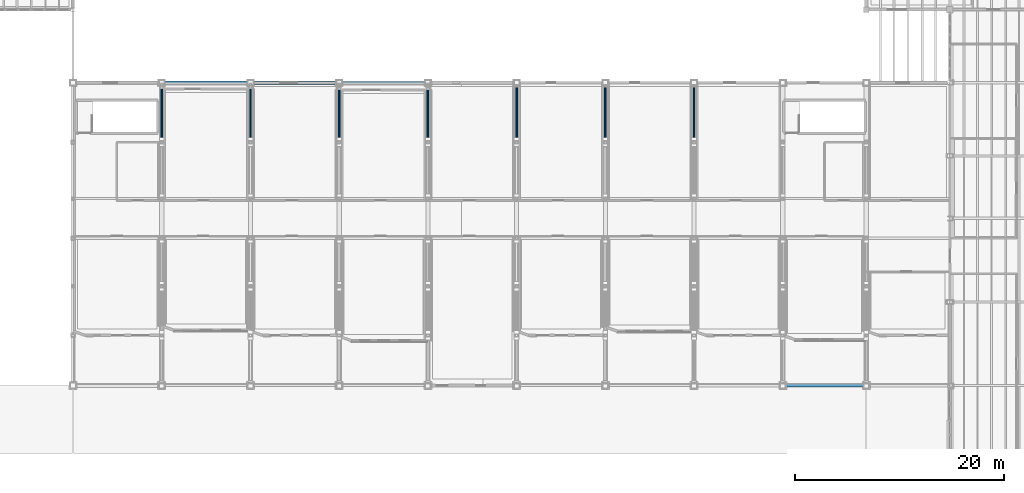
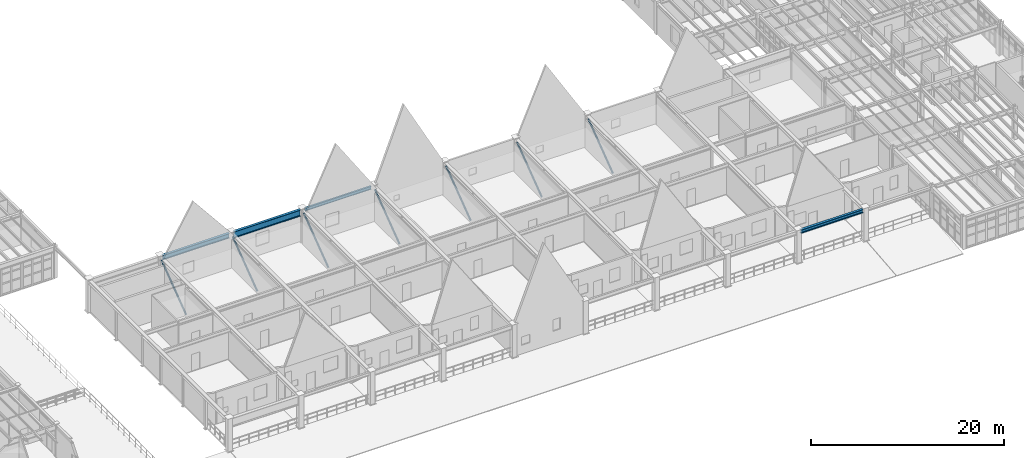
# One storey, part 32 of 78: 7 members, 4 beams.
"""IFC4 building model written with IfcOpenShell, lengths in metres."""

import ifcopenshell
import ifcopenshell.guid

model = None  # the IFC model being written
_history = None  # IfcOwnerHistory: only IFC2X3 demands one
_inside = {}  # id of a spatial element -> (the spatial element, [elements in it])
_under = {}  # id of a project, library or spatial element -> (it, [spatial elements below it])
_declared = {}  # id of a project -> (the project, [libraries it declares])
_typed = {}  # id of a type object -> (the type object, [elements of that type])
_made_of = {}  # id of a material, layer set ... -> (it, [elements and type objects made of it])


def new_model(schema):
    """Start an empty IFC model of exactly this schema.

    Asked for "IFC4X3", IfcOpenShell would pick the latest addendum, in which some entities
    have other attributes; the version numbers below select the first issue.
    IFC2X3 requires an IfcOwnerHistory on every rooted entity: one is made here for all.
    """
    global model, _history
    if schema == "IFC4X3":
        model = ifcopenshell.file(schema_version=(4, 3, 0, 0))
    else:
        model = ifcopenshell.file(schema=schema)
    _inside.clear()
    _under.clear()
    _declared.clear()
    _typed.clear()
    _made_of.clear()
    _history = None
    if model.schema == "IFC2X3":
        org = make("IfcOrganization", Name="unknown")
        user = make(
            "IfcPersonAndOrganization",
            ThePerson=make("IfcPerson", FamilyName="unknown"),
            TheOrganization=org,
        )
        app = make(
            "IfcApplication",
            ApplicationDeveloper=org,
            Version="unknown",
            ApplicationFullName="unknown",
            ApplicationIdentifier="unknown",
        )
        _history = make(
            "IfcOwnerHistory",
            OwningUser=user,
            OwningApplication=app,
            ChangeAction="ADDED",
            CreationDate=0,
        )
    return model


def make(cls, **values):
    """One entity of the class cls with the attributes given. An attribute that is None is left unset."""
    return model.create_entity(
        cls, **{name: value for name, value in values.items() if value is not None}
    )


def rooted(cls, **values):
    """An entity with a GlobalId (a new one), such as an element, a storey or a relation."""
    return make(cls, GlobalId=ifcopenshell.guid.new(), OwnerHistory=_history, **values)


def si_unit(unit_type, name, prefix=None):
    """IfcSIUnit, for example si_unit("LENGTHUNIT", "METRE", prefix="MILLI")."""
    return make("IfcSIUnit", UnitType=unit_type, Prefix=prefix, Name=name)


def assignment(units):
    """IfcUnitAssignment: the units of a project."""
    return None if units is None else make("IfcUnitAssignment", Units=units)


def point(xyz):
    """IfcCartesianPoint."""
    return None if xyz is None else make("IfcCartesianPoint", Coordinates=xyz)


def direction(xyz):
    """IfcDirection."""
    return None if xyz is None else make("IfcDirection", DirectionRatios=xyz)


def frame(location, z_axis=None, x_axis=None):
    """IfcAxis2Placement3D, a coordinate frame: its origin and axes. An axis left out is left unset."""
    return make(
        "IfcAxis2Placement3D",
        Location=point(location),
        Axis=direction(z_axis),
        RefDirection=direction(x_axis),
    )


def frame_2d(location, x_axis=None):
    """IfcAxis2Placement2D, a coordinate frame in the plane: its origin and x axis."""
    return make(
        "IfcAxis2Placement2D", Location=point(location), RefDirection=direction(x_axis)
    )


def origin():
    """The frame at (0, 0, 0) with its axes left unset."""
    return frame((0.0, 0.0, 0.0))


def origin_2d():
    """The frame at (0, 0) in the plane with its x axis left unset."""
    return frame_2d((0.0, 0.0))


def place(relative_to, where):
    """IfcLocalPlacement: puts the frame where relative to a parent placement (None: the world)."""
    return make(
        "IfcLocalPlacement", PlacementRelTo=relative_to, RelativePlacement=where
    )


def context(
    kind, dimensions, precision=None, world=None, true_north=None, identifier=None
):
    """IfcGeometricRepresentationContext, for example the 3D "Model" context."""
    return make(
        "IfcGeometricRepresentationContext",
        ContextIdentifier=identifier,
        ContextType=kind,
        CoordinateSpaceDimension=dimensions,
        Precision=precision,
        WorldCoordinateSystem=world,
        TrueNorth=true_north,
    )


def subcontext(parent, identifier, kind, view, scale=None):
    """IfcGeometricRepresentationSubContext, for example "Body" below "Model"."""
    return make(
        "IfcGeometricRepresentationSubContext",
        ContextIdentifier=identifier,
        ContextType=kind,
        ParentContext=parent,
        TargetScale=scale,
        TargetView=view,
    )


def project(units=None, contexts=None):
    """IfcProject with its units and contexts."""
    return rooted(
        "IfcProject",
        Name="project",
        RepresentationContexts=contexts,
        UnitsInContext=assignment(units),
    )


def spatial(cls, under=None, at=None, **own):
    """A site, building, storey or space (cls), placed at a placement, below another one or the project."""
    s = rooted(cls, ObjectPlacement=at, **own)
    if under is not None:
        _under.setdefault(under.id(), (under, []))[1].append(s)
    return s


def profile(cls, at=None, kind="AREA", **sizes):
    """A parametric profile (cls). Its sizes go by their IFC names, for example OverallWidth=200.0."""
    return make(cls, ProfileType=kind, Position=at, **sizes)


def hollow_circle(**sizes):
    """IfcCircleHollowProfileDef."""
    return profile("IfcCircleHollowProfileDef", **sizes)


def i_section(**sizes):
    """IfcIShapeProfileDef."""
    return profile("IfcIShapeProfileDef", **sizes)


def extrude(swept, where, along, depth):
    """IfcExtrudedAreaSolid: the profile swept, set in the frame where, extruded along a direction by depth."""
    return make(
        "IfcExtrudedAreaSolid",
        SweptArea=swept,
        Position=where,
        ExtrudedDirection=direction(along),
        Depth=depth,
    )


def shape(context_of_items, identifier, shape_type, items):
    """IfcShapeRepresentation: the items that make up one representation, for example the "Body"."""
    return make(
        "IfcShapeRepresentation",
        ContextOfItems=context_of_items,
        RepresentationIdentifier=identifier,
        RepresentationType=shape_type,
        Items=items,
    )


def material(Name=None, Category=None):
    """IfcMaterial."""
    return make("IfcMaterial", Name=Name, Category=Category)


def material_profile(
    of_material, cross_section, Name=None, Category=None, Priority=None
):
    """IfcMaterialProfile: a cross section and its material."""
    return make(
        "IfcMaterialProfile",
        Name=Name,
        Material=of_material,
        Profile=cross_section,
        Priority=Priority,
        Category=Category,
    )


def profile_set(profiles, Name=None, composite=None):
    """IfcMaterialProfileSet."""
    return make(
        "IfcMaterialProfileSet",
        Name=Name,
        MaterialProfiles=profiles,
        CompositeProfile=composite,
    )


def made_of(thing, what):
    """Note that an element or type object is made of a material, layer set ...; save() writes the relation."""
    if what is not None:
        _made_of.setdefault(what.id(), (what, []))[1].append(thing)
    return thing


def type_object(cls, material=None, **own):
    """A type object (cls), such as IfcWallType, which elements share."""
    return made_of(rooted(cls, **own), material)


def element(
    cls,
    number,
    at=None,
    inside=None,
    cuts=None,
    type_object=None,
    material=None,
    context=None,
    identifier="Body",
    shape_type=None,
    held_by="IfcProductDefinitionShape",
    body=None,
    shapes=None,
    **own,
):
    """One element of the class cls, such as IfcWall. Its Tag is "e" and its number.

    at: its placement. inside: the storey or other place that contains it. cuts: it is an
    opening in that element (IfcRelVoidsElement). A single representation is given by context,
    identifier, shape_type and body (its items); several are given by shapes. held_by: the class
    of the entity that holds the representations. save() writes the other relations.
    """
    e = rooted(cls, Tag="e%d" % number, ObjectPlacement=at, **own)
    if body is not None:
        shapes = [shape(context, identifier, shape_type, body)]
    if shapes is not None:
        e.Representation = make(held_by, Representations=shapes)
    if inside is not None:
        _inside.setdefault(inside.id(), (inside, []))[1].append(e)
    if cuts is not None:
        rooted(
            "IfcRelVoidsElement", RelatingBuildingElement=cuts, RelatedOpeningElement=e
        )
    if type_object is not None:
        _typed.setdefault(type_object.id(), (type_object, []))[1].append(e)
    return made_of(e, material)


def aggregate(whole, parts):
    """IfcRelAggregates: a whole, such as a stair, and the parts it consists of."""
    return rooted("IfcRelAggregates", RelatingObject=whole, RelatedObjects=parts)


def save(model, path):
    """Write the relations noted so far, then the file.

    IfcRelAggregates (storeys below a building ...), IfcRelContainedInSpatialStructure (elements
    in a storey), IfcRelDefinesByType, IfcRelAssociatesMaterial and IfcRelDeclares: one each for
    every whole, place, type object, material and project.
    """
    for whole, parts in _under.values():
        aggregate(whole, parts)
    for where, things in _inside.values():
        rooted(
            "IfcRelContainedInSpatialStructure",
            RelatedElements=things,
            RelatingStructure=where,
        )
    for kind, things in _typed.values():
        rooted("IfcRelDefinesByType", RelatedObjects=things, RelatingType=kind)
    for what, things in _made_of.values():
        rooted("IfcRelAssociatesMaterial", RelatedObjects=things, RelatingMaterial=what)
    for by, libraries in _declared.values():
        rooted("IfcRelDeclares", RelatingContext=by, RelatedDefinitions=libraries)
    model.write(path)


model = new_model("IFC4")

# Units and contexts
model_context = context("Model", 3, precision=1e-05, world=origin(), true_north=direction((0.0, 1.0)))
body_context = subcontext(model_context, "Body", "Model", "MODEL_VIEW")
ifc_project = project(units=[si_unit("LENGTHUNIT", "METRE"), si_unit("AREAUNIT", "SQUARE_METRE"), si_unit("VOLUMEUNIT", "CUBIC_METRE"), si_unit("PLANEANGLEUNIT", "RADIAN"), si_unit("MASSUNIT", "GRAM", prefix="KILO"), si_unit("THERMODYNAMICTEMPERATUREUNIT", "KELVIN"), si_unit("POWERUNIT", "WATT")], contexts=[model_context])

# Site, building, storey
site_placement = place(None, origin())
site = spatial("IfcSite", under=ifc_project, at=site_placement, CompositionType="ELEMENT")
building_placement = place(site_placement, origin())
building = spatial("IfcBuilding", under=site, at=building_placement, Name="Zhenchuan Central Fire Station", CompositionType="ELEMENT")
storey_placement = place(building_placement, frame((0.0, 0.0, 5.85009765625)))
storey = spatial("IfcBuildingStorey", under=building, at=storey_placement, Name="L02", CompositionType="ELEMENT", Elevation=5.85009765625)

# Beams
ifc_material = material(Name="Steel Q355B", Category="steel")
ifc_material_profile_1 = material_profile(ifc_material, i_section(OverallWidth=0.300048828125, OverallDepth=0.43994140625, WebThickness=0.010986328125, FlangeThickness=0.01806640625, FilletRadius=0.02197265625, at=origin_2d()), Name="HM 440x300")
ifc_profile_set_1 = profile_set([ifc_material_profile_1], Name="Steel Q355B")
beam_type_1 = type_object("IfcBeamType", Name="BM-HM440-INT", PredefinedType="BEAM", material=ifc_profile_set_1)
beam_1_placement = place(storey_placement, frame((124.27490234375, 6.5, 3.739990234375), z_axis=(1.0, 0.0, 0.0), x_axis=(0.0, 1.0, 0.0)))
element("IfcBeam", 1, at=beam_1_placement, inside=storey, type_object=beam_type_1, Name="L03 Girder EW 0203", PredefinedType="BEAM", context=body_context, shape_type="SweptSolid", body=[
    extrude(i_section(OverallWidth=0.300048828125, OverallDepth=0.43994140625, WebThickness=0.010986328125, FlangeThickness=0.01806640625, FilletRadius=0.02197265625, at=origin_2d()), origin(), (0.0, 0.0, 1.0), 7.4501953125),
])
ifc_material_profile_2 = material_profile(ifc_material, i_section(OverallWidth=0.300048828125, OverallDepth=0.587890625, WebThickness=0.011962890625, FlangeThickness=0.02001953125, FilletRadius=0.02392578125, at=origin_2d()), Name="HM 588x300")
ifc_profile_set_2 = profile_set([ifc_material_profile_2], Name="Steel Q355B")
beam_type_2 = type_object("IfcBeamType", Name="BM-HM588", PredefinedType="BEAM", material=ifc_profile_set_2)
beam_2_placement = place(storey_placement, frame((64.77490234375, 35.5, 3.705810546875), z_axis=(1.0, 0.0, 0.0), x_axis=(0.0, 1.0, 0.0)))
element("IfcBeam", 2, at=beam_2_placement, inside=storey, type_object=beam_type_2, Name="L03 Girder EW 0235", PredefinedType="BEAM", context=body_context, shape_type="SweptSolid", body=[
    extrude(i_section(OverallWidth=0.300048828125, OverallDepth=0.587890625, WebThickness=0.011962890625, FlangeThickness=0.02001953125, FilletRadius=0.02392578125, at=origin_2d()), origin(), (0.0, 0.0, 1.0), 7.9501953125),
])
ifc_material_profile_3 = material_profile(ifc_material, i_section(OverallWidth=0.300048828125, OverallDepth=0.800048828125, WebThickness=0.013916015625, FlangeThickness=0.02587890625, FilletRadius=0.02587890625, at=origin_2d()), Name="HN 800x300")
ifc_profile_set_3 = profile_set([ifc_material_profile_3], Name="Steel Q355B")
beam_type_3 = type_object("IfcBeamType", Name="BM-HN800", PredefinedType="BEAM", material=ifc_profile_set_3)
beam_3_placement = place(storey_placement, frame((73.27490234375, 35.5, 3.599853515625), z_axis=(1.0, 0.0, 0.0), x_axis=(0.0, 1.0, 0.0)))
element("IfcBeam", 3, at=beam_3_placement, inside=storey, type_object=beam_type_3, Name="L03 Girder EW 0236", PredefinedType="BEAM", context=body_context, shape_type="SweptSolid", body=[
    extrude(i_section(OverallWidth=0.300048828125, OverallDepth=0.800048828125, WebThickness=0.013916015625, FlangeThickness=0.02587890625, FilletRadius=0.02587890625, at=origin_2d()), origin(), (0.0, 0.0, 1.0), 7.9501953125),
])

# Members
ifc_material_profile_4 = material_profile(ifc_material, hollow_circle(Radius=0.109619140625, WallThickness=0.010009765625, at=origin_2d()), Name="CHS 219.1x10")
ifc_profile_set_4 = profile_set([ifc_material_profile_4], Name="Steel Q355B")
member_type = type_object("IfcMemberType", Name="MB-BR-CHS219", PredefinedType="BRACE", material=ifc_profile_set_4)
for number, where, z_axis, x_axis, name in (
    (4, (64.5, 30.10009765625, -0.2001953125), (0.0, 0.801870926937, 0.597497294163), (-1.0, 0.0, 0.0), "Transfer Truss TT-02 Web Diagonal 6"),
    (5, (73.0, 30.10009765625, -0.2001953125), (0.0, 0.801870926937, 0.597497294163), (-1.0, 0.0, 0.0), "Transfer Truss TT-03 Web Diagonal 6"),
    (6, (81.5, 30.10009765625, -0.2001953125), (0.0, 0.801870926937, 0.597497294163), (-1.0, 0.0, 0.0), "Transfer Truss TT-04 Web Diagonal 6"),
    (7, (90.0, 30.10009765625, -0.2001953125), (0.0, 0.801870926937, 0.597497294163), (-1.0, 0.0, 0.0), "Transfer Truss TT-05 Web Diagonal 6"),
    (8, (98.5, 30.10009765625, -0.2001953125), (0.0, 0.801870926937, 0.597497294163), (-1.0, 0.0, 0.0), "Transfer Truss TT-06 Web Diagonal 6"),
    (9, (107.0, 30.10009765625, -0.2001953125), (0.0, 0.801870926937, 0.597497294163), (-1.0, 0.0, 0.0), "Transfer Truss TT-07 Web Diagonal 6"),
    (10, (115.5, 30.10009765625, -0.2001953125), (0.0, 0.801870926937, 0.597497294163), (-1.0, 0.0, 0.0), "Transfer Truss TT-08 Web Diagonal 6"),
):
    element("IfcMember", number, at=place(storey_placement, frame(where, z_axis=z_axis, x_axis=x_axis)), inside=storey, type_object=member_type, Name=name, PredefinedType="BRACE", context=body_context, shape_type="SweptSolid", body=[
        extrude(hollow_circle(Radius=0.109619140625, WallThickness=0.010009765625, at=origin_2d()), origin(), (0.0, 0.0, 1.0), 6.35986328125),
    ])

# Beam
ifc_material_profile_5 = material_profile(ifc_material, i_section(OverallWidth=0.199951171875, OverallDepth=0.39990234375, WebThickness=0.008056640625, FlangeThickness=0.012939453125, FilletRadius=0.01611328125, at=origin_2d()), Name="HN 400x200")
ifc_profile_set_5 = profile_set([ifc_material_profile_5], Name="Steel Q355B")
beam_type_4 = type_object("IfcBeamType", Name="SP-HN400-INT", PredefinedType="SPANDREL", material=ifc_profile_set_5)
beam_4_placement = place(storey_placement, frame((81.77490234375, 35.5, 3.7998046875), z_axis=(1.0, 0.0, 0.0), x_axis=(0.0, 1.0, 0.0)))
element("IfcBeam", 11, at=beam_4_placement, inside=storey, type_object=beam_type_4, Name="L03 Girder EW 0237", PredefinedType="SPANDREL", context=body_context, shape_type="SweptSolid", body=[
    extrude(i_section(OverallWidth=0.199951171875, OverallDepth=0.39990234375, WebThickness=0.008056640625, FlangeThickness=0.012939453125, FilletRadius=0.01611328125, at=origin_2d()), origin(), (0.0, 0.0, 1.0), 7.9501953125),
])

save(model, "model.ifc")
